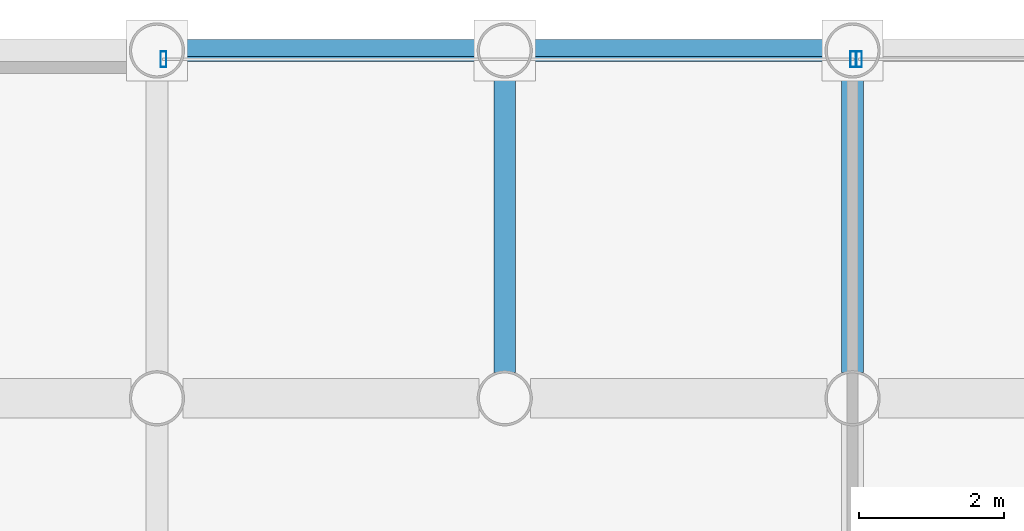
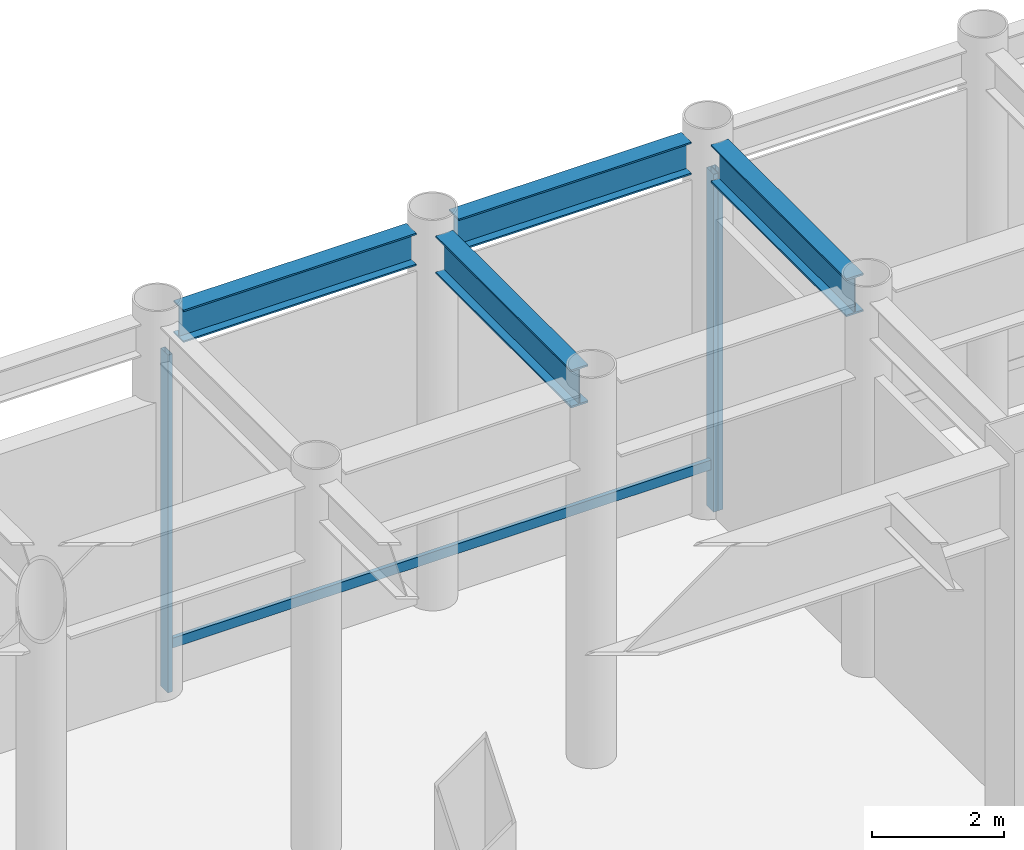
# One storey, part 10 of 23: 4 beams, 4 members, 2 elements without a shape of their own.
"""IFC4 building model written with IfcOpenShell, lengths in metres."""

from ifc_helpers import new_model, si_unit, direction, frame, origin, origin_2d, place, context, subcontext, project, spatial, hollow_rectangle, i_section, extrude, material, layer, layer_set, material_profile, profile_set, type_object, element, aggregate, save


model = new_model("IFC4")

# Units and contexts
model_context = context("Model", 3, precision=1e-05, world=origin(), true_north=direction((0.0, 1.0)))
body_context = subcontext(model_context, "Body", "Model", "MODEL_VIEW")
ifc_project = project(units=[si_unit("LENGTHUNIT", "METRE"), si_unit("AREAUNIT", "SQUARE_METRE"), si_unit("VOLUMEUNIT", "CUBIC_METRE"), si_unit("PLANEANGLEUNIT", "RADIAN"), si_unit("MASSUNIT", "GRAM", prefix="KILO")], contexts=[model_context])

# Site, building, storey
site_placement = place(None, origin())
site = spatial("IfcSite", under=ifc_project, at=site_placement, CompositionType="ELEMENT")
building_placement = place(site_placement, origin())
building = spatial("IfcBuilding", under=site, at=building_placement, Name="Kallvorn Hotel Tower", CompositionType="ELEMENT")
storey_placement = place(building_placement, frame((0.0, 0.0, 12.0)))
storey = spatial("IfcBuildingStorey", under=building, at=storey_placement, Name="L02", CompositionType="ELEMENT", Elevation=12.0)

# Beams
ifc_material_1 = material(Name="Structural steel S355JR", Category="steel")
ifc_material_profile_1 = material_profile(ifc_material_1, i_section(OverallWidth=0.300048828125, OverallDepth=0.60009765625, WebThickness=0.015380859375, FlangeThickness=0.030029296875, at=origin_2d()), Name="HE 600 B")
ifc_profile_set_1 = profile_set([ifc_material_profile_1], Name="Structural steel S355JR")
beam_type_1 = type_object("IfcBeamType", Name="BM_HE600B", PredefinedType="SPANDREL", material=ifc_profile_set_1)
for number, where, z_axis, x_axis, name in (
    (1, (-14.029052734375, 24.0, 6.6201171875), (1.0, 0.0, 0.0), (0.0, 1.0, 0.0), "L03 Perimeter Spandrel 183"),
    (2, (-9.22900390625, 24.0, 6.6201171875), (1.0, 0.0, 0.0), (0.0, 1.0, 0.0), "L03 Perimeter Spandrel 184"),
):
    element("IfcBeam", number, at=place(storey_placement, frame(where, z_axis=z_axis, x_axis=x_axis)), inside=storey, type_object=beam_type_1, Name=name, PredefinedType="SPANDREL", context=body_context, shape_type="SweptSolid", body=[
        extrude(i_section(OverallWidth=0.300048828125, OverallDepth=0.60009765625, WebThickness=0.015380859375, FlangeThickness=0.030029296875, at=origin_2d()), origin(), (0.0, 0.0, 1.0), 4.05810546875),
    ])
ifc_material_2 = material(Name="Structural steel S355JR", Category="steel")
ifc_material_profile_2 = material_profile(ifc_material_2, i_section(OverallWidth=0.300048828125, OverallDepth=0.699951171875, WebThickness=0.01708984375, FlangeThickness=0.031982421875, at=origin_2d()), Name="HE 700 B")
ifc_profile_set_2 = profile_set([ifc_material_profile_2], Name="Structural steel S355JR")
beam_type_2 = type_object("IfcBeamType", Name="BM_HE700B", PredefinedType="BEAM", material=ifc_profile_set_2)
for number, where, z_axis, x_axis, name in (
    (3, (-9.60009765625, 19.555908203125, 6.570068359375), (0.0, 1.0, 0.0), (-1.0, 0.0, 0.0), "L03 Primary Y-Girder 115"),
    (4, (-4.800048828125, 19.555908203125, 6.570068359375), (0.0, 1.0, 0.0), (-1.0, 0.0, 0.0), "L03 Primary Y-Girder 120"),
):
    element("IfcBeam", number, at=place(storey_placement, frame(where, z_axis=z_axis, x_axis=x_axis)), inside=storey, type_object=beam_type_2, Name=name, PredefinedType="BEAM", context=body_context, shape_type="SweptSolid", body=[
        extrude(i_section(OverallWidth=0.300048828125, OverallDepth=0.699951171875, WebThickness=0.01708984375, FlangeThickness=0.031982421875, at=origin_2d()), origin(), (0.0, 0.0, 1.0), 4.088134765625),
    ])

# Curtain wall, members
ifc_material_3 = material(Name="Thermally broken black-anodised aluminium AA 6063-T6", Category="aluminium")
ifc_layer = layer(ifc_material_3, 0.219970703125)
ifc_layer_set = layer_set([ifc_layer], Name="CW_SYS_2_PODIUM_CASC")
curtain_wall_type = type_object("IfcCurtainWallType", Name="CW_SYS_2_PODIUM_CASC", PredefinedType="USERDEFINED", material=ifc_layer_set)
curtain_wall_1_placement = place(storey_placement, origin())
curtain_wall_1 = element("IfcCurtainWall", 5, at=curtain_wall_1_placement, inside=storey, type_object=curtain_wall_type, Name="L02 Dark-Glass Curtain Wall CW-L02-N1", ObjectType="UNITISED CURTAIN WALL", PredefinedType="USERDEFINED")
ifc_material_4 = material(Name="Thermally broken black-anodised aluminium AA 6063-T6", Category="aluminium")
ifc_material_profile_3 = material_profile(ifc_material_4, hollow_rectangle(XDim=0.080078125, YDim=0.219970703125, WallThickness=0.0048828125, at=origin_2d()), Name="MUL 220x80")
ifc_profile_set_3 = profile_set([ifc_material_profile_3], Name="Thermally broken black-anodised aluminium AA 6063-T6")
member_type_1 = type_object("IfcMemberType", Name="CW_MULLION_220x80", PredefinedType="MULLION", material=ifc_profile_set_3)
member_1_placement = place(storey_placement, frame((-14.31005859375, 23.8798828125, 0.02001953125), z_axis=(0.0, 0.0, 1.0), x_axis=(1.0, 0.0, 0.0)))
member_1 = element("IfcMember", 6, at=member_1_placement, type_object=member_type_1, Name="CW-L02-N1 Mullion 00", PredefinedType="MULLION", context=body_context, shape_type="SweptSolid", body=[
    extrude(hollow_rectangle(XDim=0.080078125, YDim=0.219970703125, WallThickness=0.0048828125, at=origin_2d()), origin(), (0.0, 0.0, 1.0), 6.22998046875),
])
member_2_placement = place(storey_placement, frame((-4.7900390625, 23.8798828125, 0.02001953125), z_axis=(0.0, 0.0, 1.0), x_axis=(1.0, 0.0, 0.0)))
member_2 = element("IfcMember", 7, at=member_2_placement, type_object=member_type_1, Name="CW-L02-N1 Mullion 01", PredefinedType="MULLION", context=body_context, shape_type="SweptSolid", body=[
    extrude(hollow_rectangle(XDim=0.080078125, YDim=0.219970703125, WallThickness=0.0048828125, at=origin_2d()), origin(), (0.0, 0.0, 1.0), 6.22998046875),
])

# Curtain wall, member
curtain_wall_2_placement = place(storey_placement, origin())
curtain_wall_2 = element("IfcCurtainWall", 8, at=curtain_wall_2_placement, inside=storey, type_object=curtain_wall_type, Name="L02 Dark-Glass Curtain Wall CW-L02-N2", ObjectType="UNITISED CURTAIN WALL", PredefinedType="USERDEFINED")
member_3_placement = place(storey_placement, frame((-4.7099609375, 23.8798828125, 0.02001953125), z_axis=(0.0, 0.0, 1.0), x_axis=(1.0, 0.0, 0.0)))
member_3 = element("IfcMember", 9, at=member_3_placement, type_object=member_type_1, Name="CW-L02-N2 Mullion 00", PredefinedType="MULLION", context=body_context, shape_type="SweptSolid", body=[
    extrude(hollow_rectangle(XDim=0.080078125, YDim=0.219970703125, WallThickness=0.0048828125, at=origin_2d()), origin(), (0.0, 0.0, 1.0), 6.22998046875),
])
aggregate(curtain_wall_2, [member_3])

# Member
ifc_material_5 = material(Name="Thermally broken black-anodised aluminium AA 6063-T6", Category="aluminium")
ifc_material_profile_4 = material_profile(ifc_material_5, hollow_rectangle(XDim=0.070068359375, YDim=0.179931640625, WallThickness=0.00390625, at=origin_2d()), Name="TRN 180x70")
ifc_profile_set_4 = profile_set([ifc_material_profile_4], Name="Thermally broken black-anodised aluminium AA 6063-T6")
member_type_2 = type_object("IfcMemberType", Name="CW_TRANSOM_180x70", PredefinedType="USERDEFINED", material=ifc_profile_set_4)
member_4_placement = place(storey_placement, frame((-14.31005859375, 23.8798828125, 0.85009765625), z_axis=(1.0, 0.0, 0.0), x_axis=(0.0, 1.0, 0.0)))
member_4 = element("IfcMember", 10, at=member_4_placement, type_object=member_type_2, Name="CW-L02-N1 Transom 00M", ObjectType="TRANSOM", PredefinedType="USERDEFINED", context=body_context, shape_type="SweptSolid", body=[
    extrude(hollow_rectangle(XDim=0.070068359375, YDim=0.179931640625, WallThickness=0.00390625, at=origin_2d()), origin(), (0.0, 0.0, 1.0), 9.52001953125),
])

aggregate(curtain_wall_1, [member_1, member_2, member_4])

save(model, "model.ifc")
